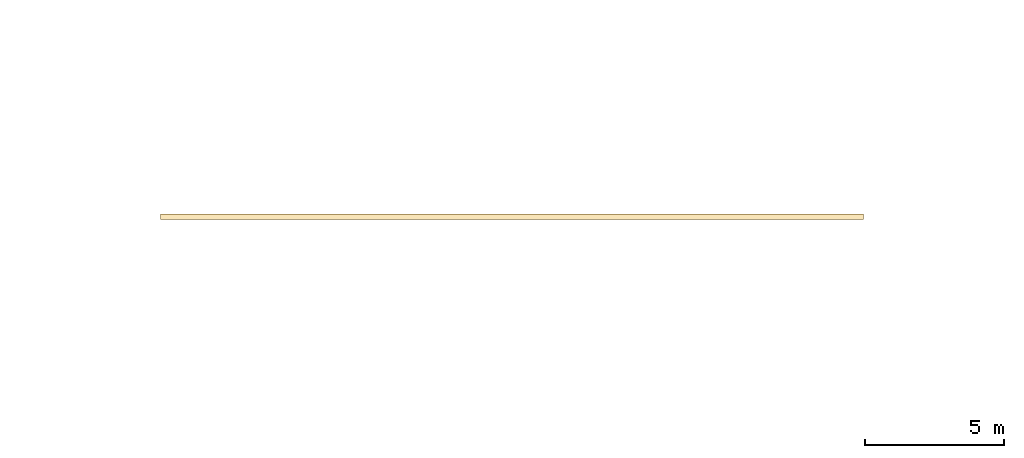
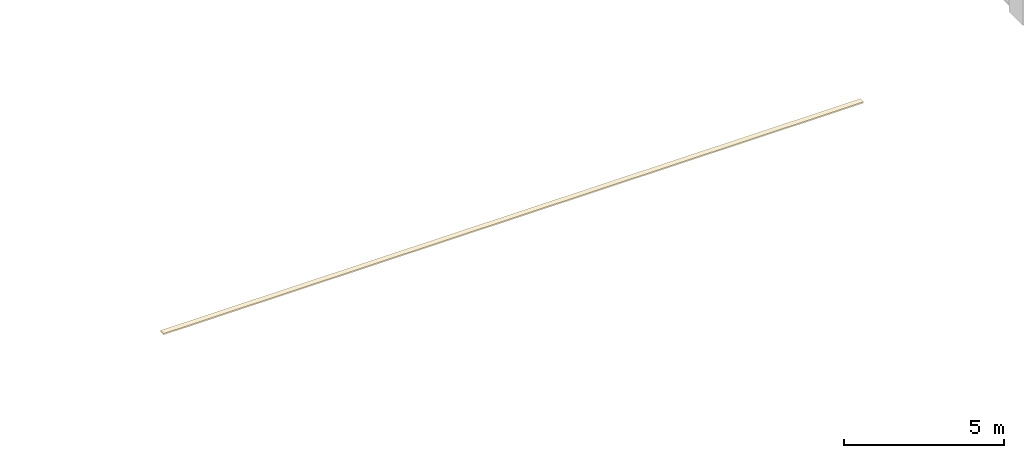
# One storey, part 88 of 94: 1 covering.
"""IFC4 building model written with IfcOpenShell, lengths in metres."""

import ifcopenshell
import ifcopenshell.guid

model = None  # the IFC model being written
_history = None  # IfcOwnerHistory: only IFC2X3 demands one
_inside = {}  # id of a spatial element -> (the spatial element, [elements in it])
_under = {}  # id of a project, library or spatial element -> (it, [spatial elements below it])
_declared = {}  # id of a project -> (the project, [libraries it declares])
_typed = {}  # id of a type object -> (the type object, [elements of that type])
_made_of = {}  # id of a material, layer set ... -> (it, [elements and type objects made of it])


def new_model(schema):
    """Start an empty IFC model of exactly this schema.

    Asked for "IFC4X3", IfcOpenShell would pick the latest addendum, in which some entities
    have other attributes; the version numbers below select the first issue.
    IFC2X3 requires an IfcOwnerHistory on every rooted entity: one is made here for all.
    """
    global model, _history
    if schema == "IFC4X3":
        model = ifcopenshell.file(schema_version=(4, 3, 0, 0))
    else:
        model = ifcopenshell.file(schema=schema)
    _inside.clear()
    _under.clear()
    _declared.clear()
    _typed.clear()
    _made_of.clear()
    _history = None
    if model.schema == "IFC2X3":
        org = make("IfcOrganization", Name="unknown")
        user = make(
            "IfcPersonAndOrganization",
            ThePerson=make("IfcPerson", FamilyName="unknown"),
            TheOrganization=org,
        )
        app = make(
            "IfcApplication",
            ApplicationDeveloper=org,
            Version="unknown",
            ApplicationFullName="unknown",
            ApplicationIdentifier="unknown",
        )
        _history = make(
            "IfcOwnerHistory",
            OwningUser=user,
            OwningApplication=app,
            ChangeAction="ADDED",
            CreationDate=0,
        )
    return model


def make(cls, **values):
    """One entity of the class cls with the attributes given. An attribute that is None is left unset."""
    return model.create_entity(
        cls, **{name: value for name, value in values.items() if value is not None}
    )


def rooted(cls, **values):
    """An entity with a GlobalId (a new one), such as an element, a storey or a relation."""
    return make(cls, GlobalId=ifcopenshell.guid.new(), OwnerHistory=_history, **values)


def si_unit(unit_type, name, prefix=None):
    """IfcSIUnit, for example si_unit("LENGTHUNIT", "METRE", prefix="MILLI")."""
    return make("IfcSIUnit", UnitType=unit_type, Prefix=prefix, Name=name)


def assignment(units):
    """IfcUnitAssignment: the units of a project."""
    return None if units is None else make("IfcUnitAssignment", Units=units)


def point(xyz):
    """IfcCartesianPoint."""
    return None if xyz is None else make("IfcCartesianPoint", Coordinates=xyz)


def direction(xyz):
    """IfcDirection."""
    return None if xyz is None else make("IfcDirection", DirectionRatios=xyz)


def frame(location, z_axis=None, x_axis=None):
    """IfcAxis2Placement3D, a coordinate frame: its origin and axes. An axis left out is left unset."""
    return make(
        "IfcAxis2Placement3D",
        Location=point(location),
        Axis=direction(z_axis),
        RefDirection=direction(x_axis),
    )


def frame_2d(location, x_axis=None):
    """IfcAxis2Placement2D, a coordinate frame in the plane: its origin and x axis."""
    return make(
        "IfcAxis2Placement2D", Location=point(location), RefDirection=direction(x_axis)
    )


def origin():
    """The frame at (0, 0, 0) with its axes left unset."""
    return frame((0.0, 0.0, 0.0))


def origin_2d():
    """The frame at (0, 0) in the plane with its x axis left unset."""
    return frame_2d((0.0, 0.0))


def place(relative_to, where):
    """IfcLocalPlacement: puts the frame where relative to a parent placement (None: the world)."""
    return make(
        "IfcLocalPlacement", PlacementRelTo=relative_to, RelativePlacement=where
    )


def context(
    kind, dimensions, precision=None, world=None, true_north=None, identifier=None
):
    """IfcGeometricRepresentationContext, for example the 3D "Model" context."""
    return make(
        "IfcGeometricRepresentationContext",
        ContextIdentifier=identifier,
        ContextType=kind,
        CoordinateSpaceDimension=dimensions,
        Precision=precision,
        WorldCoordinateSystem=world,
        TrueNorth=true_north,
    )


def subcontext(parent, identifier, kind, view, scale=None):
    """IfcGeometricRepresentationSubContext, for example "Body" below "Model"."""
    return make(
        "IfcGeometricRepresentationSubContext",
        ContextIdentifier=identifier,
        ContextType=kind,
        ParentContext=parent,
        TargetScale=scale,
        TargetView=view,
    )


def project(units=None, contexts=None):
    """IfcProject with its units and contexts."""
    return rooted(
        "IfcProject",
        Name="project",
        RepresentationContexts=contexts,
        UnitsInContext=assignment(units),
    )


def spatial(cls, under=None, at=None, **own):
    """A site, building, storey or space (cls), placed at a placement, below another one or the project."""
    s = rooted(cls, ObjectPlacement=at, **own)
    if under is not None:
        _under.setdefault(under.id(), (under, []))[1].append(s)
    return s


def profile(cls, at=None, kind="AREA", **sizes):
    """A parametric profile (cls). Its sizes go by their IFC names, for example OverallWidth=200.0."""
    return make(cls, ProfileType=kind, Position=at, **sizes)


def rectangle(**sizes):
    """IfcRectangleProfileDef."""
    return profile("IfcRectangleProfileDef", **sizes)


def extrude(swept, where, along, depth):
    """IfcExtrudedAreaSolid: the profile swept, set in the frame where, extruded along a direction by depth."""
    return make(
        "IfcExtrudedAreaSolid",
        SweptArea=swept,
        Position=where,
        ExtrudedDirection=direction(along),
        Depth=depth,
    )


def shape(context_of_items, identifier, shape_type, items):
    """IfcShapeRepresentation: the items that make up one representation, for example the "Body"."""
    return make(
        "IfcShapeRepresentation",
        ContextOfItems=context_of_items,
        RepresentationIdentifier=identifier,
        RepresentationType=shape_type,
        Items=items,
    )


def material(Name=None, Category=None):
    """IfcMaterial."""
    return make("IfcMaterial", Name=Name, Category=Category)


def layer(
    of_material, thickness, ventilated=None, Name=None, Category=None, Priority=None
):
    """IfcMaterialLayer: one layer of a wall or slab, of a material (None: an air gap)."""
    return make(
        "IfcMaterialLayer",
        Material=of_material,
        LayerThickness=thickness,
        IsVentilated=ventilated,
        Name=Name,
        Category=Category,
        Priority=Priority,
    )


def layer_set(layers, Name=None):
    """IfcMaterialLayerSet."""
    return make("IfcMaterialLayerSet", MaterialLayers=layers, LayerSetName=Name)


def made_of(thing, what):
    """Note that an element or type object is made of a material, layer set ...; save() writes the relation."""
    if what is not None:
        _made_of.setdefault(what.id(), (what, []))[1].append(thing)
    return thing


def type_object(cls, material=None, **own):
    """A type object (cls), such as IfcWallType, which elements share."""
    return made_of(rooted(cls, **own), material)


def element(
    cls,
    number,
    at=None,
    inside=None,
    cuts=None,
    type_object=None,
    material=None,
    context=None,
    identifier="Body",
    shape_type=None,
    held_by="IfcProductDefinitionShape",
    body=None,
    shapes=None,
    **own,
):
    """One element of the class cls, such as IfcWall. Its Tag is "e" and its number.

    at: its placement. inside: the storey or other place that contains it. cuts: it is an
    opening in that element (IfcRelVoidsElement). A single representation is given by context,
    identifier, shape_type and body (its items); several are given by shapes. held_by: the class
    of the entity that holds the representations. save() writes the other relations.
    """
    e = rooted(cls, Tag="e%d" % number, ObjectPlacement=at, **own)
    if body is not None:
        shapes = [shape(context, identifier, shape_type, body)]
    if shapes is not None:
        e.Representation = make(held_by, Representations=shapes)
    if inside is not None:
        _inside.setdefault(inside.id(), (inside, []))[1].append(e)
    if cuts is not None:
        rooted(
            "IfcRelVoidsElement", RelatingBuildingElement=cuts, RelatedOpeningElement=e
        )
    if type_object is not None:
        _typed.setdefault(type_object.id(), (type_object, []))[1].append(e)
    return made_of(e, material)


def aggregate(whole, parts):
    """IfcRelAggregates: a whole, such as a stair, and the parts it consists of."""
    return rooted("IfcRelAggregates", RelatingObject=whole, RelatedObjects=parts)


def save(model, path):
    """Write the relations noted so far, then the file.

    IfcRelAggregates (storeys below a building ...), IfcRelContainedInSpatialStructure (elements
    in a storey), IfcRelDefinesByType, IfcRelAssociatesMaterial and IfcRelDeclares: one each for
    every whole, place, type object, material and project.
    """
    for whole, parts in _under.values():
        aggregate(whole, parts)
    for where, things in _inside.values():
        rooted(
            "IfcRelContainedInSpatialStructure",
            RelatedElements=things,
            RelatingStructure=where,
        )
    for kind, things in _typed.values():
        rooted("IfcRelDefinesByType", RelatedObjects=things, RelatingType=kind)
    for what, things in _made_of.values():
        rooted("IfcRelAssociatesMaterial", RelatedObjects=things, RelatingMaterial=what)
    for by, libraries in _declared.values():
        rooted("IfcRelDeclares", RelatingContext=by, RelatedDefinitions=libraries)
    model.write(path)


model = new_model("IFC4")

# Units and contexts
model_context = context("Model", 3, precision=1e-05, world=origin(), true_north=direction((0.0, 1.0)))
body_context = subcontext(model_context, "Body", "Model", "MODEL_VIEW")
ifc_project = project(units=[si_unit("LENGTHUNIT", "METRE"), si_unit("AREAUNIT", "SQUARE_METRE"), si_unit("VOLUMEUNIT", "CUBIC_METRE"), si_unit("PLANEANGLEUNIT", "RADIAN"), si_unit("MASSUNIT", "GRAM", prefix="KILO")], contexts=[model_context])

# Site, building, storey
site_placement = place(None, origin())
site = spatial("IfcSite", under=ifc_project, at=site_placement, CompositionType="ELEMENT")
building_placement = place(site_placement, origin())
building = spatial("IfcBuilding", under=site, at=building_placement, Name="Yavir Park General Hospital", CompositionType="ELEMENT")
storey_placement = place(building_placement, frame((0.0, 0.0, 4.5)))
storey = spatial("IfcBuildingStorey", under=building, at=storey_placement, Name="L01", CompositionType="ELEMENT", Elevation=4.5)

# Covering
ifc_material = material(Name="Aluminium ridge capping with gasket", Category="aluminium")
ifc_layer = layer(ifc_material, 0.050048828125)
ifc_layer_set = layer_set([ifc_layer], Name="Aluminium ridge capping with gasket")
covering_type = type_object("IfcCoveringType", Name="Glazed roof ridge capping 50", PredefinedType="ROOFING", material=ifc_layer_set)
covering_placement = place(storey_placement, frame((121.800048828125, 54.60009765625, 2.181640625), z_axis=(0.0, 0.0, 1.0), x_axis=(1.0, 0.0, 0.0)))
element("IfcCovering", 1, at=covering_placement, inside=storey, type_object=covering_type, Name="Winter-garden concourse roof ridge capping", PredefinedType="ROOFING", context=body_context, shape_type="SweptSolid", body=[
    extrude(rectangle(XDim=25.199951171875, YDim=0.19677734375, at=origin_2d()), origin(), (0.0, 0.0, 1.0), 0.050048828125),
])

save(model, "model.ifc")
